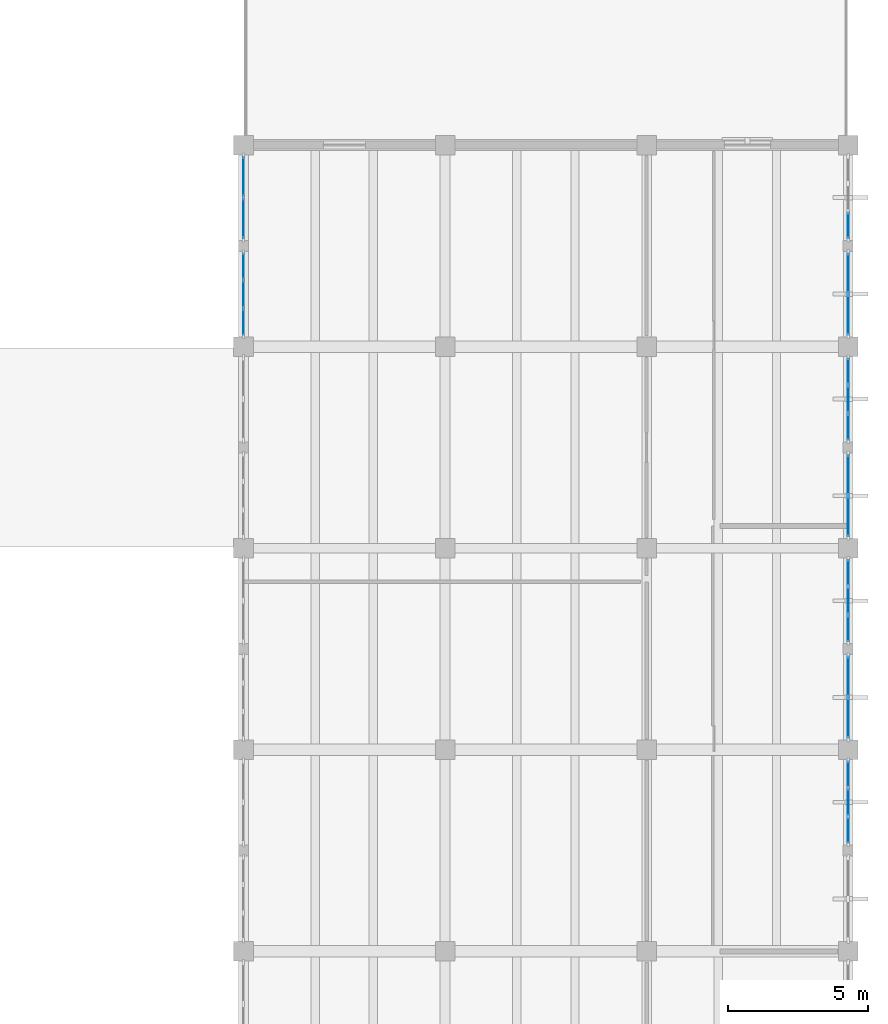
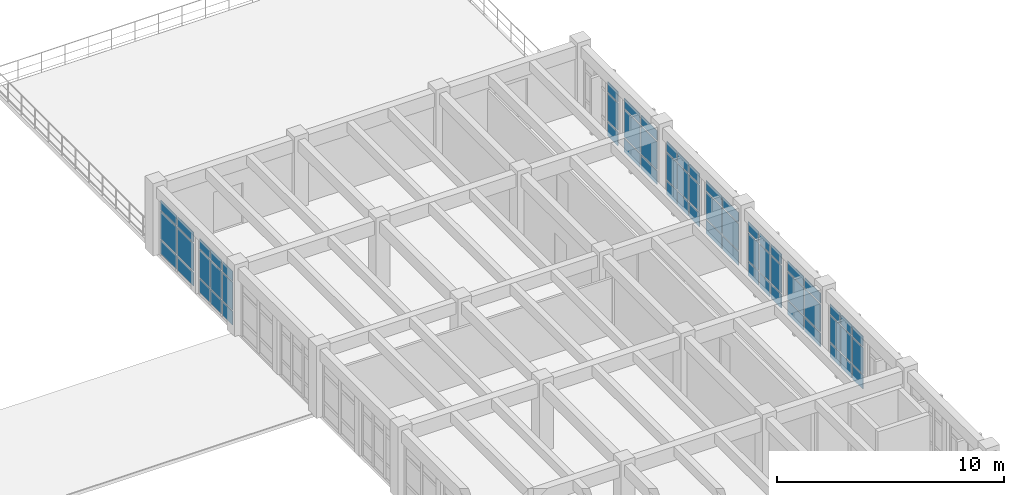
# One storey, part 29 of 54: 63 plates, 9 elements without a shape of their own.
"""IFC4 building model written with IfcOpenShell, lengths in metres."""

from ifc_helpers import new_model, si_unit, direction, frame, origin, origin_2d, place, context, subcontext, project, spatial, rectangle, extrude, material, layer, layer_set, type_object, element, aggregate, save


model = new_model("IFC4")

# Units and contexts
model_context = context("Model", 3, precision=1e-05, world=origin(), true_north=direction((0.0, 1.0)))
body_context = subcontext(model_context, "Body", "Model", "MODEL_VIEW")
ifc_project = project(units=[si_unit("LENGTHUNIT", "METRE"), si_unit("AREAUNIT", "SQUARE_METRE"), si_unit("VOLUMEUNIT", "CUBIC_METRE"), si_unit("PLANEANGLEUNIT", "RADIAN"), si_unit("MASSUNIT", "GRAM", prefix="KILO")], contexts=[model_context])

# Site, building, storey
site_placement = place(None, origin())
site = spatial("IfcSite", under=ifc_project, at=site_placement, CompositionType="ELEMENT")
building_placement = place(site_placement, origin())
building = spatial("IfcBuilding", under=site, at=building_placement, Name="Koriwan Promenade Central Fire Station", CompositionType="ELEMENT")
storey_placement = place(building_placement, frame((0.0, 0.0, 9.60009765625)))
storey = spatial("IfcBuildingStorey", under=building, at=storey_placement, Name="L02", CompositionType="ELEMENT", Elevation=9.60009765625)

# Curtain wall, plates
ifc_material_1 = material(Name="Aluminium EN AW-6063-T6 and low-E glazing", Category="aluminium")
ifc_layer_1 = layer(ifc_material_1, 0.159912109375, Name="Aluminium EN AW-6063-T6 and low-E glazing")
ifc_layer_set_1 = layer_set([ifc_layer_1], Name="Aluminium EN AW-6063-T6 and low-E glazing")
curtain_wall_type_1 = type_object("IfcCurtainWallType", Name="CurtainWall_77_305x305", PredefinedType="USERDEFINED", material=ifc_layer_set_1)
curtain_wall_1_placement = place(storey_placement, origin())
curtain_wall_1 = element("IfcCurtainWall", 1, at=curtain_wall_1_placement, inside=storey, type_object=curtain_wall_type_1, Name="V5 L02 unitised curtain wall 234", ObjectType="UNITISED CURTAIN WALL", PredefinedType="USERDEFINED")
ifc_material_2 = material(Name="Low-E laminated double glazing", Category="glass")
ifc_layer_2 = layer(ifc_material_2, 0.028076171875, Name="Low-E laminated double glazing")
ifc_layer_set_2 = layer_set([ifc_layer_2], Name="Low-E laminated double glazing")
plate_type_1 = type_object("IfcPlateType", Name="CWPanel_28", PredefinedType="CURTAIN_PANEL", material=ifc_layer_set_2)
plate_1_placement = place(storey_placement, frame((151.199951171875, 54.982421875, 0.079833984375), z_axis=(0.0, 0.0, 1.0), x_axis=(0.0, 1.0, 0.0)))
plate_1 = element("IfcPlate", 2, at=plate_1_placement, type_object=plate_type_1, Name="CW-77 panel 1.1", PredefinedType="CURTAIN_PANEL", context=body_context, shape_type="SweptSolid", body=[
    extrude(rectangle(XDim=1.405029296875, YDim=0.028076171875, at=origin_2d()), origin(), (0.0, 0.0, 1.0), 0.72998046875),
])
plate_2_placement = place(storey_placement, frame((151.199951171875, 54.982421875, 0.89013671875), z_axis=(0.0, 0.0, 1.0), x_axis=(0.0, 1.0, 0.0)))
plate_2 = element("IfcPlate", 3, at=plate_2_placement, type_object=plate_type_1, Name="CW-77 panel 1.2", PredefinedType="CURTAIN_PANEL", context=body_context, shape_type="SweptSolid", body=[
    extrude(rectangle(XDim=1.405029296875, YDim=0.028076171875, at=origin_2d()), origin(), (0.0, 0.0, 1.0), 1.469970703125),
])
plate_3_placement = place(storey_placement, frame((151.199951171875, 54.982421875, 2.43994140625), z_axis=(0.0, 0.0, 1.0), x_axis=(0.0, 1.0, 0.0)))
plate_3 = element("IfcPlate", 4, at=plate_3_placement, type_object=plate_type_1, Name="CW-77 panel 1.3", PredefinedType="CURTAIN_PANEL", context=body_context, shape_type="SweptSolid", body=[
    extrude(rectangle(XDim=1.405029296875, YDim=0.028076171875, at=origin_2d()), origin(), (0.0, 0.0, 1.0), 0.530029296875),
])
plate_4_placement = place(storey_placement, frame((151.199951171875, 56.467529296875, 0.079833984375), z_axis=(0.0, 0.0, 1.0), x_axis=(0.0, 1.0, 0.0)))
plate_4 = element("IfcPlate", 5, at=plate_4_placement, type_object=plate_type_1, Name="CW-77 panel 2.1", PredefinedType="CURTAIN_PANEL", context=body_context, shape_type="SweptSolid", body=[
    extrude(rectangle(XDim=1.405029296875, YDim=0.028076171875, at=origin_2d()), origin(), (0.0, 0.0, 1.0), 0.72998046875),
])
plate_5_placement = place(storey_placement, frame((151.199951171875, 56.467529296875, 0.89013671875), z_axis=(0.0, 0.0, 1.0), x_axis=(0.0, 1.0, 0.0)))
plate_5 = element("IfcPlate", 6, at=plate_5_placement, type_object=plate_type_1, Name="CW-77 panel 2.2", PredefinedType="CURTAIN_PANEL", context=body_context, shape_type="SweptSolid", body=[
    extrude(rectangle(XDim=1.405029296875, YDim=0.028076171875, at=origin_2d()), origin(), (0.0, 0.0, 1.0), 1.469970703125),
])
plate_6_placement = place(storey_placement, frame((151.199951171875, 56.467529296875, 2.43994140625), z_axis=(0.0, 0.0, 1.0), x_axis=(0.0, 1.0, 0.0)))
plate_6 = element("IfcPlate", 7, at=plate_6_placement, type_object=plate_type_1, Name="CW-77 panel 2.3", PredefinedType="CURTAIN_PANEL", context=body_context, shape_type="SweptSolid", body=[
    extrude(rectangle(XDim=1.405029296875, YDim=0.028076171875, at=origin_2d()), origin(), (0.0, 0.0, 1.0), 0.530029296875),
])
aggregate(curtain_wall_1, [plate_1, plate_2, plate_3, plate_4, plate_5, plate_6])

curtain_wall_2_placement = place(storey_placement, origin())
curtain_wall_2 = element("IfcCurtainWall", 8, at=curtain_wall_2_placement, inside=storey, type_object=curtain_wall_type_1, Name="V5 L02 unitised curtain wall 236", ObjectType="UNITISED CURTAIN WALL", PredefinedType="USERDEFINED")
plate_7_placement = place(storey_placement, frame((172.800048828125, 53.017578125, 0.079833984375), z_axis=(0.0, 0.0, 1.0), x_axis=(0.0, -1.0, 0.0)))
plate_7 = element("IfcPlate", 9, at=plate_7_placement, type_object=plate_type_1, Name="CW-77 panel 1.1", PredefinedType="CURTAIN_PANEL", context=body_context, shape_type="SweptSolid", body=[
    extrude(rectangle(XDim=1.405029296875, YDim=0.028076171875, at=origin_2d()), origin(), (0.0, 0.0, 1.0), 0.72998046875),
])
plate_8_placement = place(storey_placement, frame((172.800048828125, 53.017578125, 0.89013671875), z_axis=(0.0, 0.0, 1.0), x_axis=(0.0, -1.0, 0.0)))
plate_8 = element("IfcPlate", 10, at=plate_8_placement, type_object=plate_type_1, Name="CW-77 panel 1.2", PredefinedType="CURTAIN_PANEL", context=body_context, shape_type="SweptSolid", body=[
    extrude(rectangle(XDim=1.405029296875, YDim=0.028076171875, at=origin_2d()), origin(), (0.0, 0.0, 1.0), 1.469970703125),
])
plate_9_placement = place(storey_placement, frame((172.800048828125, 53.017578125, 2.43994140625), z_axis=(0.0, 0.0, 1.0), x_axis=(0.0, -1.0, 0.0)))
plate_9 = element("IfcPlate", 11, at=plate_9_placement, type_object=plate_type_1, Name="CW-77 panel 1.3", PredefinedType="CURTAIN_PANEL", context=body_context, shape_type="SweptSolid", body=[
    extrude(rectangle(XDim=1.405029296875, YDim=0.028076171875, at=origin_2d()), origin(), (0.0, 0.0, 1.0), 0.530029296875),
])
plate_10_placement = place(storey_placement, frame((172.800048828125, 51.532470703125, 0.079833984375), z_axis=(0.0, 0.0, 1.0), x_axis=(0.0, -1.0, 0.0)))
plate_10 = element("IfcPlate", 12, at=plate_10_placement, type_object=plate_type_1, Name="CW-77 panel 2.1", PredefinedType="CURTAIN_PANEL", context=body_context, shape_type="SweptSolid", body=[
    extrude(rectangle(XDim=1.405029296875, YDim=0.028076171875, at=origin_2d()), origin(), (0.0, 0.0, 1.0), 0.72998046875),
])
plate_11_placement = place(storey_placement, frame((172.800048828125, 51.532470703125, 0.89013671875), z_axis=(0.0, 0.0, 1.0), x_axis=(0.0, -1.0, 0.0)))
plate_11 = element("IfcPlate", 13, at=plate_11_placement, type_object=plate_type_1, Name="CW-77 panel 2.2", PredefinedType="CURTAIN_PANEL", context=body_context, shape_type="SweptSolid", body=[
    extrude(rectangle(XDim=1.405029296875, YDim=0.028076171875, at=origin_2d()), origin(), (0.0, 0.0, 1.0), 1.469970703125),
])
plate_12_placement = place(storey_placement, frame((172.800048828125, 51.532470703125, 2.43994140625), z_axis=(0.0, 0.0, 1.0), x_axis=(0.0, -1.0, 0.0)))
plate_12 = element("IfcPlate", 14, at=plate_12_placement, type_object=plate_type_1, Name="CW-77 panel 2.3", PredefinedType="CURTAIN_PANEL", context=body_context, shape_type="SweptSolid", body=[
    extrude(rectangle(XDim=1.405029296875, YDim=0.028076171875, at=origin_2d()), origin(), (0.0, 0.0, 1.0), 0.530029296875),
])
aggregate(curtain_wall_2, [plate_7, plate_8, plate_9, plate_10, plate_11, plate_12])

ifc_layer_3 = layer(ifc_material_1, 0.159912109375, Name="Aluminium EN AW-6063-T6 and low-E glazing")
ifc_layer_set_3 = layer_set([ifc_layer_3], Name="Aluminium EN AW-6063-T6 and low-E glazing")
curtain_wall_type_2 = type_object("IfcCurtainWallType", Name="CurtainWall_75_305x300", PredefinedType="USERDEFINED", material=ifc_layer_set_3)
curtain_wall_3_placement = place(storey_placement, origin())
curtain_wall_3 = element("IfcCurtainWall", 15, at=curtain_wall_3_placement, inside=storey, type_object=curtain_wall_type_2, Name="V5 L02 unitised curtain wall 238", ObjectType="UNITISED CURTAIN WALL", PredefinedType="USERDEFINED")
plate_13_placement = place(storey_placement, frame((172.800048828125, 45.8173828125, 0.079833984375), z_axis=(0.0, 0.0, 1.0), x_axis=(0.0, -1.0, 0.0)))
plate_13 = element("IfcPlate", 16, at=plate_13_placement, type_object=plate_type_1, Name="CW-75 panel 1.1", PredefinedType="CURTAIN_PANEL", context=body_context, shape_type="SweptSolid", body=[
    extrude(rectangle(XDim=1.405029296875, YDim=0.028076171875, at=origin_2d()), origin(), (0.0, 0.0, 1.0), 0.72998046875),
])
plate_14_placement = place(storey_placement, frame((172.800048828125, 45.8173828125, 0.889892578125), z_axis=(0.0, 0.0, 1.0), x_axis=(0.0, -1.0, 0.0)))
plate_14 = element("IfcPlate", 17, at=plate_14_placement, type_object=plate_type_1, Name="CW-75 panel 1.2", PredefinedType="CURTAIN_PANEL", context=body_context, shape_type="SweptSolid", body=[
    extrude(rectangle(XDim=1.405029296875, YDim=0.028076171875, at=origin_2d()), origin(), (0.0, 0.0, 1.0), 1.419921875),
])
plate_15_placement = place(storey_placement, frame((172.800048828125, 45.8173828125, 2.3896484375), z_axis=(0.0, 0.0, 1.0), x_axis=(0.0, -1.0, 0.0)))
plate_15 = element("IfcPlate", 18, at=plate_15_placement, type_object=plate_type_1, Name="CW-75 panel 1.3", PredefinedType="CURTAIN_PANEL", context=body_context, shape_type="SweptSolid", body=[
    extrude(rectangle(XDim=1.405029296875, YDim=0.028076171875, at=origin_2d()), origin(), (0.0, 0.0, 1.0), 0.530029296875),
])
plate_16_placement = place(storey_placement, frame((172.800048828125, 44.33251953125, 0.079833984375), z_axis=(0.0, 0.0, 1.0), x_axis=(0.0, -1.0, 0.0)))
plate_16 = element("IfcPlate", 19, at=plate_16_placement, type_object=plate_type_1, Name="CW-75 panel 2.1", PredefinedType="CURTAIN_PANEL", context=body_context, shape_type="SweptSolid", body=[
    extrude(rectangle(XDim=1.405029296875, YDim=0.028076171875, at=origin_2d()), origin(), (0.0, 0.0, 1.0), 0.72998046875),
])
plate_17_placement = place(storey_placement, frame((172.800048828125, 44.33251953125, 0.889892578125), z_axis=(0.0, 0.0, 1.0), x_axis=(0.0, -1.0, 0.0)))
plate_17 = element("IfcPlate", 20, at=plate_17_placement, type_object=plate_type_1, Name="CW-75 panel 2.2", PredefinedType="CURTAIN_PANEL", context=body_context, shape_type="SweptSolid", body=[
    extrude(rectangle(XDim=1.405029296875, YDim=0.028076171875, at=origin_2d()), origin(), (0.0, 0.0, 1.0), 1.419921875),
])
plate_18_placement = place(storey_placement, frame((172.800048828125, 44.33251953125, 2.3896484375), z_axis=(0.0, 0.0, 1.0), x_axis=(0.0, -1.0, 0.0)))
plate_18 = element("IfcPlate", 21, at=plate_18_placement, type_object=plate_type_1, Name="CW-75 panel 2.3", PredefinedType="CURTAIN_PANEL", context=body_context, shape_type="SweptSolid", body=[
    extrude(rectangle(XDim=1.405029296875, YDim=0.028076171875, at=origin_2d()), origin(), (0.0, 0.0, 1.0), 0.530029296875),
])
aggregate(curtain_wall_3, [plate_13, plate_14, plate_15, plate_16, plate_17, plate_18])

ifc_layer_4 = layer(ifc_material_1, 0.159912109375, Name="Aluminium EN AW-6063-T6 and low-E glazing")
ifc_layer_set_4 = layer_set([ifc_layer_4], Name="Aluminium EN AW-6063-T6 and low-E glazing")
curtain_wall_type_3 = type_object("IfcCurtainWallType", Name="CurtainWall_81_305x304", PredefinedType="USERDEFINED", material=ifc_layer_set_4)
curtain_wall_4_placement = place(storey_placement, origin())
curtain_wall_4 = element("IfcCurtainWall", 22, at=curtain_wall_4_placement, inside=storey, type_object=curtain_wall_type_3, Name="V5 L02 unitised curtain wall 240", ObjectType="UNITISED CURTAIN WALL", PredefinedType="USERDEFINED")
plate_19_placement = place(storey_placement, frame((172.800048828125, 38.617431640625, 0.079833984375), z_axis=(0.0, 0.0, 1.0), x_axis=(0.0, -1.0, 0.0)))
plate_19 = element("IfcPlate", 23, at=plate_19_placement, type_object=plate_type_1, Name="CW-81 panel 1.1", PredefinedType="CURTAIN_PANEL", context=body_context, shape_type="SweptSolid", body=[
    extrude(rectangle(XDim=1.405029296875, YDim=0.028076171875, at=origin_2d()), origin(), (0.0, 0.0, 1.0), 0.72998046875),
])
plate_20_placement = place(storey_placement, frame((172.800048828125, 38.617431640625, 0.889892578125), z_axis=(0.0, 0.0, 1.0), x_axis=(0.0, -1.0, 0.0)))
plate_20 = element("IfcPlate", 24, at=plate_20_placement, type_object=plate_type_1, Name="CW-81 panel 1.2", PredefinedType="CURTAIN_PANEL", context=body_context, shape_type="SweptSolid", body=[
    extrude(rectangle(XDim=1.405029296875, YDim=0.028076171875, at=origin_2d()), origin(), (0.0, 0.0, 1.0), 1.4599609375),
])
plate_21_placement = place(storey_placement, frame((172.800048828125, 38.617431640625, 2.4296875), z_axis=(0.0, 0.0, 1.0), x_axis=(0.0, -1.0, 0.0)))
plate_21 = element("IfcPlate", 25, at=plate_21_placement, type_object=plate_type_1, Name="CW-81 panel 1.3", PredefinedType="CURTAIN_PANEL", context=body_context, shape_type="SweptSolid", body=[
    extrude(rectangle(XDim=1.405029296875, YDim=0.028076171875, at=origin_2d()), origin(), (0.0, 0.0, 1.0), 0.530029296875),
])
plate_22_placement = place(storey_placement, frame((172.800048828125, 37.132568359375, 0.079833984375), z_axis=(0.0, 0.0, 1.0), x_axis=(0.0, -1.0, 0.0)))
plate_22 = element("IfcPlate", 26, at=plate_22_placement, type_object=plate_type_1, Name="CW-81 panel 2.1", PredefinedType="CURTAIN_PANEL", context=body_context, shape_type="SweptSolid", body=[
    extrude(rectangle(XDim=1.405029296875, YDim=0.028076171875, at=origin_2d()), origin(), (0.0, 0.0, 1.0), 0.72998046875),
])
plate_23_placement = place(storey_placement, frame((172.800048828125, 37.132568359375, 0.889892578125), z_axis=(0.0, 0.0, 1.0), x_axis=(0.0, -1.0, 0.0)))
plate_23 = element("IfcPlate", 27, at=plate_23_placement, type_object=plate_type_1, Name="CW-81 panel 2.2", PredefinedType="CURTAIN_PANEL", context=body_context, shape_type="SweptSolid", body=[
    extrude(rectangle(XDim=1.405029296875, YDim=0.028076171875, at=origin_2d()), origin(), (0.0, 0.0, 1.0), 1.4599609375),
])
plate_24_placement = place(storey_placement, frame((172.800048828125, 37.132568359375, 2.4296875), z_axis=(0.0, 0.0, 1.0), x_axis=(0.0, -1.0, 0.0)))
plate_24 = element("IfcPlate", 28, at=plate_24_placement, type_object=plate_type_1, Name="CW-81 panel 2.3", PredefinedType="CURTAIN_PANEL", context=body_context, shape_type="SweptSolid", body=[
    extrude(rectangle(XDim=1.405029296875, YDim=0.028076171875, at=origin_2d()), origin(), (0.0, 0.0, 1.0), 0.530029296875),
])
aggregate(curtain_wall_4, [plate_19, plate_20, plate_21, plate_22, plate_23, plate_24])

ifc_layer_5 = layer(ifc_material_1, 0.159912109375, Name="Aluminium EN AW-6063-T6 and low-E glazing")
ifc_layer_set_5 = layer_set([ifc_layer_5], Name="Aluminium EN AW-6063-T6 and low-E glazing")
curtain_wall_type_4 = type_object("IfcCurtainWallType", Name="CurtainWall_76_305x305", PredefinedType="USERDEFINED", material=ifc_layer_set_5)
curtain_wall_5_placement = place(storey_placement, origin())
curtain_wall_5 = element("IfcCurtainWall", 29, at=curtain_wall_5_placement, inside=storey, type_object=curtain_wall_type_4, Name="V5 L02 unitised curtain wall 233", ObjectType="UNITISED CURTAIN WALL", PredefinedType="USERDEFINED")
ifc_material_3 = material(Name="Solar-control low-E acoustic glazing", Category="glass")
ifc_layer_6 = layer(ifc_material_3, 0.031982421875, Name="Solar-control low-E acoustic glazing")
ifc_layer_set_6 = layer_set([ifc_layer_6], Name="Solar-control low-E acoustic glazing")
plate_type_2 = type_object("IfcPlateType", Name="CWPanel_32", PredefinedType="CURTAIN_PANEL", material=ifc_layer_set_6)
plate_25_placement = place(storey_placement, frame((151.199951171875, 51.277099609375, 0.07470703125), z_axis=(0.0, 0.0, 1.0), x_axis=(0.0, 1.0, 0.0)))
plate_25 = element("IfcPlate", 30, at=plate_25_placement, type_object=plate_type_2, Name="CW-76 panel 1.1", PredefinedType="CURTAIN_PANEL", context=body_context, shape_type="SweptSolid", body=[
    extrude(rectangle(XDim=0.904052734375, YDim=0.031982421875, at=origin_2d()), origin(), (0.0, 0.0, 1.0), 0.737548828125),
])
plate_26_placement = place(storey_placement, frame((151.199951171875, 51.277099609375, 0.887451171875), z_axis=(0.0, 0.0, 1.0), x_axis=(0.0, 1.0, 0.0)))
plate_26 = element("IfcPlate", 31, at=plate_26_placement, type_object=plate_type_2, Name="CW-76 panel 1.2", PredefinedType="CURTAIN_PANEL", context=body_context, shape_type="SweptSolid", body=[
    extrude(rectangle(XDim=0.904052734375, YDim=0.031982421875, at=origin_2d()), origin(), (0.0, 0.0, 1.0), 1.47509765625),
])
plate_27_placement = place(storey_placement, frame((151.199951171875, 51.277099609375, 2.437255859375), z_axis=(0.0, 0.0, 1.0), x_axis=(0.0, 1.0, 0.0)))
plate_27 = element("IfcPlate", 32, at=plate_27_placement, type_object=plate_type_2, Name="CW-76 panel 1.3", PredefinedType="CURTAIN_PANEL", context=body_context, shape_type="SweptSolid", body=[
    extrude(rectangle(XDim=0.904052734375, YDim=0.031982421875, at=origin_2d()), origin(), (0.0, 0.0, 1.0), 0.53759765625),
])
plate_28_placement = place(storey_placement, frame((151.199951171875, 52.27490234375, 0.07470703125), z_axis=(0.0, 0.0, 1.0), x_axis=(0.0, 1.0, 0.0)))
plate_28 = element("IfcPlate", 33, at=plate_28_placement, type_object=plate_type_2, Name="CW-76 panel 2.1", PredefinedType="CURTAIN_PANEL", context=body_context, shape_type="SweptSolid", body=[
    extrude(rectangle(XDim=0.941650390625, YDim=0.031982421875, at=origin_2d()), origin(), (0.0, 0.0, 1.0), 0.737548828125),
])
plate_29_placement = place(storey_placement, frame((151.199951171875, 52.27490234375, 0.887451171875), z_axis=(0.0, 0.0, 1.0), x_axis=(0.0, 1.0, 0.0)))
plate_29 = element("IfcPlate", 34, at=plate_29_placement, type_object=plate_type_2, Name="CW-76 panel 2.2", PredefinedType="CURTAIN_PANEL", context=body_context, shape_type="SweptSolid", body=[
    extrude(rectangle(XDim=0.941650390625, YDim=0.031982421875, at=origin_2d()), origin(), (0.0, 0.0, 1.0), 1.47509765625),
])
plate_30_placement = place(storey_placement, frame((151.199951171875, 52.27490234375, 2.437255859375), z_axis=(0.0, 0.0, 1.0), x_axis=(0.0, 1.0, 0.0)))
plate_30 = element("IfcPlate", 35, at=plate_30_placement, type_object=plate_type_2, Name="CW-76 panel 2.3", PredefinedType="CURTAIN_PANEL", context=body_context, shape_type="SweptSolid", body=[
    extrude(rectangle(XDim=0.941650390625, YDim=0.031982421875, at=origin_2d()), origin(), (0.0, 0.0, 1.0), 0.53759765625),
])
plate_31_placement = place(storey_placement, frame((151.199951171875, 53.27294921875, 0.07470703125), z_axis=(0.0, 0.0, 1.0), x_axis=(0.0, 1.0, 0.0)))
plate_31 = element("IfcPlate", 36, at=plate_31_placement, type_object=plate_type_2, Name="CW-76 panel 3.1", PredefinedType="CURTAIN_PANEL", context=body_context, shape_type="SweptSolid", body=[
    extrude(rectangle(XDim=0.904052734375, YDim=0.031982421875, at=origin_2d()), origin(), (0.0, 0.0, 1.0), 0.737548828125),
])
plate_32_placement = place(storey_placement, frame((151.199951171875, 53.27294921875, 0.887451171875), z_axis=(0.0, 0.0, 1.0), x_axis=(0.0, 1.0, 0.0)))
plate_32 = element("IfcPlate", 37, at=plate_32_placement, type_object=plate_type_2, Name="CW-76 panel 3.2", PredefinedType="CURTAIN_PANEL", context=body_context, shape_type="SweptSolid", body=[
    extrude(rectangle(XDim=0.904052734375, YDim=0.031982421875, at=origin_2d()), origin(), (0.0, 0.0, 1.0), 1.47509765625),
])
plate_33_placement = place(storey_placement, frame((151.199951171875, 53.27294921875, 2.437255859375), z_axis=(0.0, 0.0, 1.0), x_axis=(0.0, 1.0, 0.0)))
plate_33 = element("IfcPlate", 38, at=plate_33_placement, type_object=plate_type_2, Name="CW-76 panel 3.3", PredefinedType="CURTAIN_PANEL", context=body_context, shape_type="SweptSolid", body=[
    extrude(rectangle(XDim=0.904052734375, YDim=0.031982421875, at=origin_2d()), origin(), (0.0, 0.0, 1.0), 0.53759765625),
])
aggregate(curtain_wall_5, [plate_25, plate_26, plate_27, plate_28, plate_29, plate_30, plate_31, plate_32, plate_33])

curtain_wall_6_placement = place(storey_placement, origin())
curtain_wall_6 = element("IfcCurtainWall", 39, at=curtain_wall_6_placement, inside=storey, type_object=curtain_wall_type_4, Name="V5 L02 unitised curtain wall 235", ObjectType="UNITISED CURTAIN WALL", PredefinedType="USERDEFINED")
plate_34_placement = place(storey_placement, frame((172.800048828125, 54.72705078125, 0.07470703125), z_axis=(0.0, 0.0, 1.0), x_axis=(0.0, -1.0, 0.0)))
plate_34 = element("IfcPlate", 40, at=plate_34_placement, type_object=plate_type_2, Name="CW-76 panel 3.1", PredefinedType="CURTAIN_PANEL", context=body_context, shape_type="SweptSolid", body=[
    extrude(rectangle(XDim=0.904052734375, YDim=0.031982421875, at=origin_2d()), origin(), (0.0, 0.0, 1.0), 0.737548828125),
])
plate_35_placement = place(storey_placement, frame((172.800048828125, 54.72705078125, 0.887451171875), z_axis=(0.0, 0.0, 1.0), x_axis=(0.0, -1.0, 0.0)))
plate_35 = element("IfcPlate", 41, at=plate_35_placement, type_object=plate_type_2, Name="CW-76 panel 3.2", PredefinedType="CURTAIN_PANEL", context=body_context, shape_type="SweptSolid", body=[
    extrude(rectangle(XDim=0.904052734375, YDim=0.031982421875, at=origin_2d()), origin(), (0.0, 0.0, 1.0), 1.47509765625),
])
plate_36_placement = place(storey_placement, frame((172.800048828125, 54.72705078125, 2.437255859375), z_axis=(0.0, 0.0, 1.0), x_axis=(0.0, -1.0, 0.0)))
plate_36 = element("IfcPlate", 42, at=plate_36_placement, type_object=plate_type_2, Name="CW-76 panel 3.3", PredefinedType="CURTAIN_PANEL", context=body_context, shape_type="SweptSolid", body=[
    extrude(rectangle(XDim=0.904052734375, YDim=0.031982421875, at=origin_2d()), origin(), (0.0, 0.0, 1.0), 0.53759765625),
])
aggregate(curtain_wall_6, [plate_34, plate_35, plate_36])

ifc_layer_7 = layer(ifc_material_1, 0.159912109375, Name="Aluminium EN AW-6063-T6 and low-E glazing")
ifc_layer_set_7 = layer_set([ifc_layer_7], Name="Aluminium EN AW-6063-T6 and low-E glazing")
curtain_wall_type_5 = type_object("IfcCurtainWallType", Name="CurtainWall_74_305x300", PredefinedType="USERDEFINED", material=ifc_layer_set_7)
curtain_wall_7_placement = place(storey_placement, origin())
curtain_wall_7 = element("IfcCurtainWall", 43, at=curtain_wall_7_placement, inside=storey, type_object=curtain_wall_type_5, Name="V5 L02 unitised curtain wall 237", ObjectType="UNITISED CURTAIN WALL", PredefinedType="USERDEFINED")
plate_37_placement = place(storey_placement, frame((172.800048828125, 49.52294921875, 0.07470703125), z_axis=(0.0, 0.0, 1.0), x_axis=(0.0, -1.0, 0.0)))
plate_37 = element("IfcPlate", 44, at=plate_37_placement, type_object=plate_type_2, Name="CW-74 panel 1.1", PredefinedType="CURTAIN_PANEL", context=body_context, shape_type="SweptSolid", body=[
    extrude(rectangle(XDim=0.904052734375, YDim=0.031982421875, at=origin_2d()), origin(), (0.0, 0.0, 1.0), 0.737548828125),
])
plate_38_placement = place(storey_placement, frame((172.800048828125, 49.52294921875, 0.88720703125), z_axis=(0.0, 0.0, 1.0), x_axis=(0.0, -1.0, 0.0)))
plate_38 = element("IfcPlate", 45, at=plate_38_placement, type_object=plate_type_2, Name="CW-74 panel 1.2", PredefinedType="CURTAIN_PANEL", context=body_context, shape_type="SweptSolid", body=[
    extrude(rectangle(XDim=0.904052734375, YDim=0.031982421875, at=origin_2d()), origin(), (0.0, 0.0, 1.0), 1.425048828125),
])
plate_39_placement = place(storey_placement, frame((172.800048828125, 49.52294921875, 2.387451171875), z_axis=(0.0, 0.0, 1.0), x_axis=(0.0, -1.0, 0.0)))
plate_39 = element("IfcPlate", 46, at=plate_39_placement, type_object=plate_type_2, Name="CW-74 panel 1.3", PredefinedType="CURTAIN_PANEL", context=body_context, shape_type="SweptSolid", body=[
    extrude(rectangle(XDim=0.904052734375, YDim=0.031982421875, at=origin_2d()), origin(), (0.0, 0.0, 1.0), 0.53759765625),
])
plate_40_placement = place(storey_placement, frame((172.800048828125, 48.52490234375, 0.07470703125), z_axis=(0.0, 0.0, 1.0), x_axis=(0.0, -1.0, 0.0)))
plate_40 = element("IfcPlate", 47, at=plate_40_placement, type_object=plate_type_2, Name="CW-74 panel 2.1", PredefinedType="CURTAIN_PANEL", context=body_context, shape_type="SweptSolid", body=[
    extrude(rectangle(XDim=0.941650390625, YDim=0.031982421875, at=origin_2d()), origin(), (0.0, 0.0, 1.0), 0.737548828125),
])
plate_41_placement = place(storey_placement, frame((172.800048828125, 48.52490234375, 0.88720703125), z_axis=(0.0, 0.0, 1.0), x_axis=(0.0, -1.0, 0.0)))
plate_41 = element("IfcPlate", 48, at=plate_41_placement, type_object=plate_type_2, Name="CW-74 panel 2.2", PredefinedType="CURTAIN_PANEL", context=body_context, shape_type="SweptSolid", body=[
    extrude(rectangle(XDim=0.941650390625, YDim=0.031982421875, at=origin_2d()), origin(), (0.0, 0.0, 1.0), 1.425048828125),
])
plate_42_placement = place(storey_placement, frame((172.800048828125, 48.52490234375, 2.387451171875), z_axis=(0.0, 0.0, 1.0), x_axis=(0.0, -1.0, 0.0)))
plate_42 = element("IfcPlate", 49, at=plate_42_placement, type_object=plate_type_2, Name="CW-74 panel 2.3", PredefinedType="CURTAIN_PANEL", context=body_context, shape_type="SweptSolid", body=[
    extrude(rectangle(XDim=0.941650390625, YDim=0.031982421875, at=origin_2d()), origin(), (0.0, 0.0, 1.0), 0.53759765625),
])
plate_43_placement = place(storey_placement, frame((172.800048828125, 47.527099609375, 0.07470703125), z_axis=(0.0, 0.0, 1.0), x_axis=(0.0, -1.0, 0.0)))
plate_43 = element("IfcPlate", 50, at=plate_43_placement, type_object=plate_type_2, Name="CW-74 panel 3.1", PredefinedType="CURTAIN_PANEL", context=body_context, shape_type="SweptSolid", body=[
    extrude(rectangle(XDim=0.904052734375, YDim=0.031982421875, at=origin_2d()), origin(), (0.0, 0.0, 1.0), 0.737548828125),
])
plate_44_placement = place(storey_placement, frame((172.800048828125, 47.527099609375, 0.88720703125), z_axis=(0.0, 0.0, 1.0), x_axis=(0.0, -1.0, 0.0)))
plate_44 = element("IfcPlate", 51, at=plate_44_placement, type_object=plate_type_2, Name="CW-74 panel 3.2", PredefinedType="CURTAIN_PANEL", context=body_context, shape_type="SweptSolid", body=[
    extrude(rectangle(XDim=0.904052734375, YDim=0.031982421875, at=origin_2d()), origin(), (0.0, 0.0, 1.0), 1.425048828125),
])
plate_45_placement = place(storey_placement, frame((172.800048828125, 47.527099609375, 2.387451171875), z_axis=(0.0, 0.0, 1.0), x_axis=(0.0, -1.0, 0.0)))
plate_45 = element("IfcPlate", 52, at=plate_45_placement, type_object=plate_type_2, Name="CW-74 panel 3.3", PredefinedType="CURTAIN_PANEL", context=body_context, shape_type="SweptSolid", body=[
    extrude(rectangle(XDim=0.904052734375, YDim=0.031982421875, at=origin_2d()), origin(), (0.0, 0.0, 1.0), 0.53759765625),
])
aggregate(curtain_wall_7, [plate_37, plate_38, plate_39, plate_40, plate_41, plate_42, plate_43, plate_44, plate_45])

ifc_layer_8 = layer(ifc_material_1, 0.159912109375, Name="Aluminium EN AW-6063-T6 and low-E glazing")
ifc_layer_set_8 = layer_set([ifc_layer_8], Name="Aluminium EN AW-6063-T6 and low-E glazing")
curtain_wall_type_6 = type_object("IfcCurtainWallType", Name="CurtainWall_80_305x304", PredefinedType="USERDEFINED", material=ifc_layer_set_8)
curtain_wall_8_placement = place(storey_placement, origin())
curtain_wall_8 = element("IfcCurtainWall", 53, at=curtain_wall_8_placement, inside=storey, type_object=curtain_wall_type_6, Name="V5 L02 unitised curtain wall 239", ObjectType="UNITISED CURTAIN WALL", PredefinedType="USERDEFINED")
plate_46_placement = place(storey_placement, frame((172.800048828125, 42.322998046875, 0.07470703125), z_axis=(0.0, 0.0, 1.0), x_axis=(0.0, -1.0, 0.0)))
plate_46 = element("IfcPlate", 54, at=plate_46_placement, type_object=plate_type_2, Name="CW-80 panel 1.1", PredefinedType="CURTAIN_PANEL", context=body_context, shape_type="SweptSolid", body=[
    extrude(rectangle(XDim=0.904052734375, YDim=0.031982421875, at=origin_2d()), origin(), (0.0, 0.0, 1.0), 0.737548828125),
])
plate_47_placement = place(storey_placement, frame((172.800048828125, 42.322998046875, 0.88720703125), z_axis=(0.0, 0.0, 1.0), x_axis=(0.0, -1.0, 0.0)))
plate_47 = element("IfcPlate", 55, at=plate_47_placement, type_object=plate_type_2, Name="CW-80 panel 1.2", PredefinedType="CURTAIN_PANEL", context=body_context, shape_type="SweptSolid", body=[
    extrude(rectangle(XDim=0.904052734375, YDim=0.031982421875, at=origin_2d()), origin(), (0.0, 0.0, 1.0), 1.465087890625),
])
plate_48_placement = place(storey_placement, frame((172.800048828125, 42.322998046875, 2.42724609375), z_axis=(0.0, 0.0, 1.0), x_axis=(0.0, -1.0, 0.0)))
plate_48 = element("IfcPlate", 56, at=plate_48_placement, type_object=plate_type_2, Name="CW-80 panel 1.3", PredefinedType="CURTAIN_PANEL", context=body_context, shape_type="SweptSolid", body=[
    extrude(rectangle(XDim=0.904052734375, YDim=0.031982421875, at=origin_2d()), origin(), (0.0, 0.0, 1.0), 0.53759765625),
])
plate_49_placement = place(storey_placement, frame((172.800048828125, 41.324951171875, 0.07470703125), z_axis=(0.0, 0.0, 1.0), x_axis=(0.0, -1.0, 0.0)))
plate_49 = element("IfcPlate", 57, at=plate_49_placement, type_object=plate_type_2, Name="CW-80 panel 2.1", PredefinedType="CURTAIN_PANEL", context=body_context, shape_type="SweptSolid", body=[
    extrude(rectangle(XDim=0.941650390625, YDim=0.031982421875, at=origin_2d()), origin(), (0.0, 0.0, 1.0), 0.737548828125),
])
plate_50_placement = place(storey_placement, frame((172.800048828125, 41.324951171875, 0.88720703125), z_axis=(0.0, 0.0, 1.0), x_axis=(0.0, -1.0, 0.0)))
plate_50 = element("IfcPlate", 58, at=plate_50_placement, type_object=plate_type_2, Name="CW-80 panel 2.2", PredefinedType="CURTAIN_PANEL", context=body_context, shape_type="SweptSolid", body=[
    extrude(rectangle(XDim=0.941650390625, YDim=0.031982421875, at=origin_2d()), origin(), (0.0, 0.0, 1.0), 1.465087890625),
])
plate_51_placement = place(storey_placement, frame((172.800048828125, 41.324951171875, 2.42724609375), z_axis=(0.0, 0.0, 1.0), x_axis=(0.0, -1.0, 0.0)))
plate_51 = element("IfcPlate", 59, at=plate_51_placement, type_object=plate_type_2, Name="CW-80 panel 2.3", PredefinedType="CURTAIN_PANEL", context=body_context, shape_type="SweptSolid", body=[
    extrude(rectangle(XDim=0.941650390625, YDim=0.031982421875, at=origin_2d()), origin(), (0.0, 0.0, 1.0), 0.53759765625),
])
plate_52_placement = place(storey_placement, frame((172.800048828125, 40.3271484375, 0.07470703125), z_axis=(0.0, 0.0, 1.0), x_axis=(0.0, -1.0, 0.0)))
plate_52 = element("IfcPlate", 60, at=plate_52_placement, type_object=plate_type_2, Name="CW-80 panel 3.1", PredefinedType="CURTAIN_PANEL", context=body_context, shape_type="SweptSolid", body=[
    extrude(rectangle(XDim=0.904052734375, YDim=0.031982421875, at=origin_2d()), origin(), (0.0, 0.0, 1.0), 0.737548828125),
])
plate_53_placement = place(storey_placement, frame((172.800048828125, 40.3271484375, 0.88720703125), z_axis=(0.0, 0.0, 1.0), x_axis=(0.0, -1.0, 0.0)))
plate_53 = element("IfcPlate", 61, at=plate_53_placement, type_object=plate_type_2, Name="CW-80 panel 3.2", PredefinedType="CURTAIN_PANEL", context=body_context, shape_type="SweptSolid", body=[
    extrude(rectangle(XDim=0.904052734375, YDim=0.031982421875, at=origin_2d()), origin(), (0.0, 0.0, 1.0), 1.465087890625),
])
plate_54_placement = place(storey_placement, frame((172.800048828125, 40.3271484375, 2.42724609375), z_axis=(0.0, 0.0, 1.0), x_axis=(0.0, -1.0, 0.0)))
plate_54 = element("IfcPlate", 62, at=plate_54_placement, type_object=plate_type_2, Name="CW-80 panel 3.3", PredefinedType="CURTAIN_PANEL", context=body_context, shape_type="SweptSolid", body=[
    extrude(rectangle(XDim=0.904052734375, YDim=0.031982421875, at=origin_2d()), origin(), (0.0, 0.0, 1.0), 0.53759765625),
])
aggregate(curtain_wall_8, [plate_46, plate_47, plate_48, plate_49, plate_50, plate_51, plate_52, plate_53, plate_54])

ifc_layer_9 = layer(ifc_material_1, 0.159912109375, Name="Aluminium EN AW-6063-T6 and low-E glazing")
ifc_layer_set_9 = layer_set([ifc_layer_9], Name="Aluminium EN AW-6063-T6 and low-E glazing")
curtain_wall_type_7 = type_object("IfcCurtainWallType", Name="CurtainWall_73_305x299", PredefinedType="USERDEFINED", material=ifc_layer_set_9)
curtain_wall_9_placement = place(storey_placement, origin())
curtain_wall_9 = element("IfcCurtainWall", 63, at=curtain_wall_9_placement, inside=storey, type_object=curtain_wall_type_7, Name="V5 L02 unitised curtain wall 241", ObjectType="UNITISED CURTAIN WALL", PredefinedType="USERDEFINED")
plate_55_placement = place(storey_placement, frame((172.800048828125, 35.122802734375, 0.07470703125), z_axis=(0.0, 0.0, 1.0), x_axis=(0.0, -1.0, 0.0)))
plate_55 = element("IfcPlate", 64, at=plate_55_placement, type_object=plate_type_2, Name="CW-73 panel 1.1", PredefinedType="CURTAIN_PANEL", context=body_context, shape_type="SweptSolid", body=[
    extrude(rectangle(XDim=0.904052734375, YDim=0.031982421875, at=origin_2d()), origin(), (0.0, 0.0, 1.0), 0.737548828125),
])
plate_56_placement = place(storey_placement, frame((172.800048828125, 35.122802734375, 0.887451171875), z_axis=(0.0, 0.0, 1.0), x_axis=(0.0, -1.0, 0.0)))
plate_56 = element("IfcPlate", 65, at=plate_56_placement, type_object=plate_type_2, Name="CW-73 panel 1.2", PredefinedType="CURTAIN_PANEL", context=body_context, shape_type="SweptSolid", body=[
    extrude(rectangle(XDim=0.904052734375, YDim=0.031982421875, at=origin_2d()), origin(), (0.0, 0.0, 1.0), 1.4150390625),
])
plate_57_placement = place(storey_placement, frame((172.800048828125, 35.122802734375, 2.37744140625), z_axis=(0.0, 0.0, 1.0), x_axis=(0.0, -1.0, 0.0)))
plate_57 = element("IfcPlate", 66, at=plate_57_placement, type_object=plate_type_2, Name="CW-73 panel 1.3", PredefinedType="CURTAIN_PANEL", context=body_context, shape_type="SweptSolid", body=[
    extrude(rectangle(XDim=0.904052734375, YDim=0.031982421875, at=origin_2d()), origin(), (0.0, 0.0, 1.0), 0.53759765625),
])
plate_58_placement = place(storey_placement, frame((172.800048828125, 34.125, 0.07470703125), z_axis=(0.0, 0.0, 1.0), x_axis=(0.0, -1.0, 0.0)))
plate_58 = element("IfcPlate", 67, at=plate_58_placement, type_object=plate_type_2, Name="CW-73 panel 2.1", PredefinedType="CURTAIN_PANEL", context=body_context, shape_type="SweptSolid", body=[
    extrude(rectangle(XDim=0.941650390625, YDim=0.031982421875, at=origin_2d()), origin(), (0.0, 0.0, 1.0), 0.737548828125),
])
plate_59_placement = place(storey_placement, frame((172.800048828125, 34.125, 0.887451171875), z_axis=(0.0, 0.0, 1.0), x_axis=(0.0, -1.0, 0.0)))
plate_59 = element("IfcPlate", 68, at=plate_59_placement, type_object=plate_type_2, Name="CW-73 panel 2.2", PredefinedType="CURTAIN_PANEL", context=body_context, shape_type="SweptSolid", body=[
    extrude(rectangle(XDim=0.941650390625, YDim=0.031982421875, at=origin_2d()), origin(), (0.0, 0.0, 1.0), 1.4150390625),
])
plate_60_placement = place(storey_placement, frame((172.800048828125, 34.125, 2.37744140625), z_axis=(0.0, 0.0, 1.0), x_axis=(0.0, -1.0, 0.0)))
plate_60 = element("IfcPlate", 69, at=plate_60_placement, type_object=plate_type_2, Name="CW-73 panel 2.3", PredefinedType="CURTAIN_PANEL", context=body_context, shape_type="SweptSolid", body=[
    extrude(rectangle(XDim=0.941650390625, YDim=0.031982421875, at=origin_2d()), origin(), (0.0, 0.0, 1.0), 0.53759765625),
])
plate_61_placement = place(storey_placement, frame((172.800048828125, 33.127197265625, 0.07470703125), z_axis=(0.0, 0.0, 1.0), x_axis=(0.0, -1.0, 0.0)))
plate_61 = element("IfcPlate", 70, at=plate_61_placement, type_object=plate_type_2, Name="CW-73 panel 3.1", PredefinedType="CURTAIN_PANEL", context=body_context, shape_type="SweptSolid", body=[
    extrude(rectangle(XDim=0.904052734375, YDim=0.031982421875, at=origin_2d()), origin(), (0.0, 0.0, 1.0), 0.737548828125),
])
plate_62_placement = place(storey_placement, frame((172.800048828125, 33.127197265625, 0.887451171875), z_axis=(0.0, 0.0, 1.0), x_axis=(0.0, -1.0, 0.0)))
plate_62 = element("IfcPlate", 71, at=plate_62_placement, type_object=plate_type_2, Name="CW-73 panel 3.2", PredefinedType="CURTAIN_PANEL", context=body_context, shape_type="SweptSolid", body=[
    extrude(rectangle(XDim=0.904052734375, YDim=0.031982421875, at=origin_2d()), origin(), (0.0, 0.0, 1.0), 1.4150390625),
])
plate_63_placement = place(storey_placement, frame((172.800048828125, 33.127197265625, 2.37744140625), z_axis=(0.0, 0.0, 1.0), x_axis=(0.0, -1.0, 0.0)))
plate_63 = element("IfcPlate", 72, at=plate_63_placement, type_object=plate_type_2, Name="CW-73 panel 3.3", PredefinedType="CURTAIN_PANEL", context=body_context, shape_type="SweptSolid", body=[
    extrude(rectangle(XDim=0.904052734375, YDim=0.031982421875, at=origin_2d()), origin(), (0.0, 0.0, 1.0), 0.53759765625),
])
aggregate(curtain_wall_9, [plate_55, plate_56, plate_57, plate_58, plate_59, plate_60, plate_61, plate_62, plate_63])

save(model, "model.ifc")
